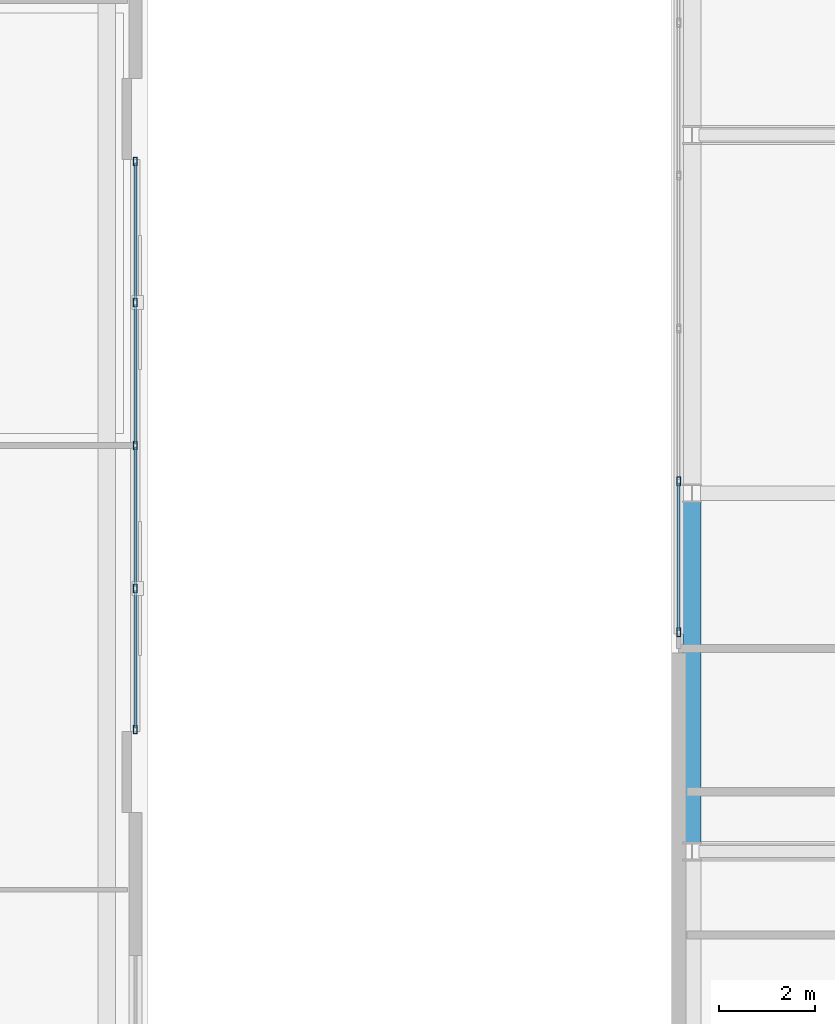
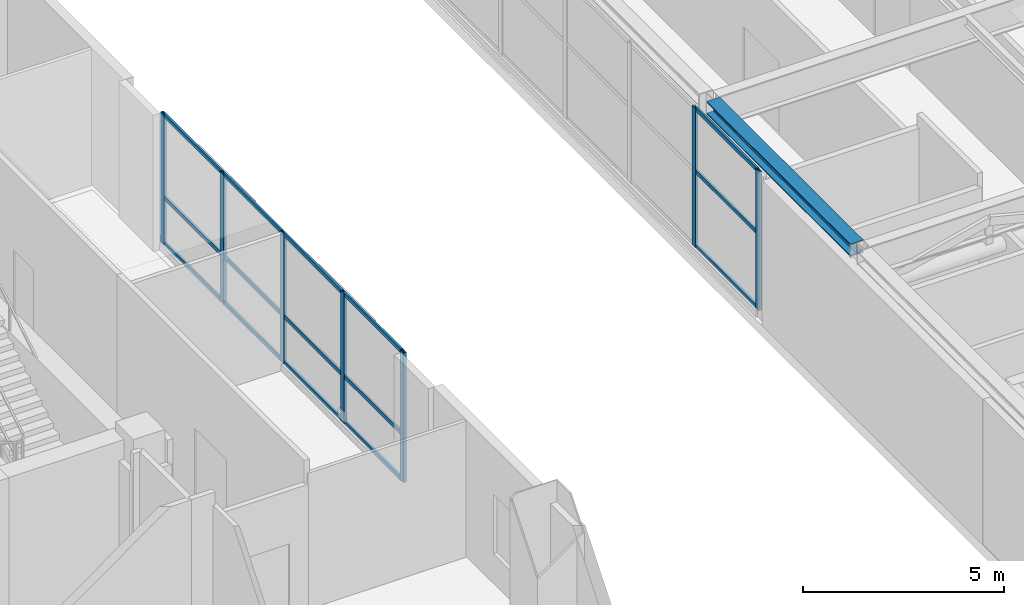
# One storey, part 7 of 27: 22 members, 1 beam, 2 elements without a shape of their own.
"""IFC4 building model written with IfcOpenShell, lengths in metres."""

from ifc_helpers import new_model, si_unit, direction, frame, origin, origin_2d, place, context, subcontext, project, spatial, hollow_rectangle, i_section, extrude, material, layer, layer_set, material_profile, profile_set, type_object, element, aggregate, save


model = new_model("IFC4")

# Units and contexts
model_context = context("Model", 3, precision=1e-05, world=origin(), true_north=direction((0.0, 1.0)))
body_context = subcontext(model_context, "Body", "Model", "MODEL_VIEW")
ifc_project = project(units=[si_unit("LENGTHUNIT", "METRE"), si_unit("AREAUNIT", "SQUARE_METRE"), si_unit("VOLUMEUNIT", "CUBIC_METRE"), si_unit("PLANEANGLEUNIT", "RADIAN"), si_unit("MASSUNIT", "GRAM", prefix="KILO")], contexts=[model_context])

# Site, building, storey
site_placement = place(None, origin())
site = spatial("IfcSite", under=ifc_project, at=site_placement, CompositionType="ELEMENT")
building_placement = place(site_placement, origin())
building = spatial("IfcBuilding", under=site, at=building_placement, Name="Mersakhor Tower and Convention Hall", CompositionType="ELEMENT")
storey_placement = place(building_placement, frame((0.0, 0.0, 14.39990234375)))
storey = spatial("IfcBuildingStorey", under=building, at=storey_placement, Name="L03", CompositionType="ELEMENT", Elevation=14.39990234375)

# Beam
ifc_material_1 = material(Name="Steel S355", Category="steel")
ifc_material_profile_1 = material_profile(ifc_material_1, i_section(OverallWidth=0.374755859375, OverallDepth=0.37451171875, WebThickness=0.0166015625, FlangeThickness=0.027099609375, at=origin_2d()), Name="UC 356x368x202")
ifc_profile_set_1 = profile_set([ifc_material_profile_1], Name="Steel S355")
beam_type = type_object("IfcBeamType", Name="BM-SPD-UC356", PredefinedType="SPANDREL", material=ifc_profile_set_1)
beam_placement = place(storey_placement, frame((55.5, 18.429931640625, 4.613037109375), z_axis=(0.0, 1.0, 0.0), x_axis=(-1.0, 0.0, 0.0)))
element("IfcBeam", 1, at=beam_placement, inside=storey, type_object=beam_type, Name="Convention L03 Edge Spandrel W3", PredefinedType="SPANDREL", context=body_context, shape_type="SweptSolid", body=[
    extrude(i_section(OverallWidth=0.374755859375, OverallDepth=0.37451171875, WebThickness=0.0166015625, FlangeThickness=0.027099609375, at=origin_2d()), origin(), (0.0, 0.0, 1.0), 7.14013671875),
])

# Curtain wall, members
ifc_material_2 = material(Name="Dark solar low-E aluminium curtain wall", Category="aluminium")
ifc_layer_1 = layer(ifc_material_2, 0.219970703125)
ifc_layer_set_1 = layer_set([ifc_layer_1], Name="Dark solar low-E aluminium curtain wall")
curtain_wall_type_1 = type_object("IfcCurtainWallType", Name="CW-SYS-07", PredefinedType="USERDEFINED", material=ifc_layer_set_1)
curtain_wall_1_placement = place(storey_placement, origin())
curtain_wall_1 = element("IfcCurtainWall", 2, at=curtain_wall_1_placement, inside=storey, type_object=curtain_wall_type_1, Name="Convention L03 West Curtain Wall", ObjectType="CURTAIN WALL", PredefinedType="USERDEFINED")
ifc_material_3 = material(Name="Anodised aluminium EN AW-6063 T6", Category="aluminium")
ifc_material_profile_2 = material_profile(ifc_material_3, hollow_rectangle(XDim=0.080078125, YDim=0.179931640625, WallThickness=0.008056640625, at=origin_2d()), Name="RHS 180x80x8")
ifc_profile_set_2 = profile_set([ifc_material_profile_2], Name="Anodised aluminium EN AW-6063 T6")
member_type_1 = type_object("IfcMemberType", Name="CWM-180x80", PredefinedType="MULLION", material=ifc_profile_set_2)
member_1_placement = place(storey_placement, frame((55.22509765625, 22.840087890625, 0.2001953125), z_axis=(0.0, 0.0, 1.0), x_axis=(-1.0, 0.0, 0.0)))
member_1 = element("IfcMember", 3, at=member_1_placement, type_object=member_type_1, Name="CW-07 mullion 1", PredefinedType="MULLION", context=body_context, shape_type="SweptSolid", body=[
    extrude(hollow_rectangle(XDim=0.080078125, YDim=0.179931640625, WallThickness=0.008056640625, at=origin_2d()), origin(), (0.0, 0.0, 1.0), 4.219970703125),
])
member_2_placement = place(storey_placement, frame((55.22509765625, 26.0, 0.2001953125), z_axis=(0.0, 0.0, 1.0), x_axis=(-1.0, 0.0, 0.0)))
member_2 = element("IfcMember", 4, at=member_2_placement, type_object=member_type_1, Name="CW-07 mullion 2", PredefinedType="MULLION", context=body_context, shape_type="SweptSolid", body=[
    extrude(hollow_rectangle(XDim=0.080078125, YDim=0.179931640625, WallThickness=0.008056640625, at=origin_2d()), origin(), (0.0, 0.0, 1.0), 4.219970703125),
])

ifc_material_4 = material(Name="Dark solar low-E aluminium curtain wall", Category="aluminium")
ifc_layer_2 = layer(ifc_material_4, 0.18994140625)
ifc_layer_set_2 = layer_set([ifc_layer_2], Name="Dark solar low-E aluminium curtain wall")
curtain_wall_type_2 = type_object("IfcCurtainWallType", Name="CW-SYS-04", PredefinedType="USERDEFINED", material=ifc_layer_set_2)
curtain_wall_2_placement = place(storey_placement, origin())
curtain_wall_2 = element("IfcCurtainWall", 5, at=curtain_wall_2_placement, inside=storey, type_object=curtain_wall_type_2, Name="L03 Dark-Glass Curtain Wall F2-B2", ObjectType="CURTAIN WALL", PredefinedType="USERDEFINED")
member_3_placement = place(storey_placement, frame((43.85009765625, 32.696533203125, 0.2001953125), z_axis=(0.0, 0.0, 1.0), x_axis=(1.0, 0.0, 0.0)))
member_3 = element("IfcMember", 6, at=member_3_placement, type_object=member_type_1, Name="CW-04 mullion 1", PredefinedType="MULLION", context=body_context, shape_type="SweptSolid", body=[
    extrude(hollow_rectangle(XDim=0.080078125, YDim=0.179931640625, WallThickness=0.008056640625, at=origin_2d()), origin(), (0.0, 0.0, 1.0), 3.93994140625),
])
member_4_placement = place(storey_placement, frame((43.85009765625, 29.743408203125, 0.2001953125), z_axis=(0.0, 0.0, 1.0), x_axis=(1.0, 0.0, 0.0)))
member_4 = element("IfcMember", 7, at=member_4_placement, type_object=member_type_1, Name="CW-04 mullion 2", PredefinedType="MULLION", context=body_context, shape_type="SweptSolid", body=[
    extrude(hollow_rectangle(XDim=0.080078125, YDim=0.179931640625, WallThickness=0.008056640625, at=origin_2d()), origin(), (0.0, 0.0, 1.0), 3.93994140625),
])
member_5_placement = place(storey_placement, frame((43.85009765625, 26.75, 0.2001953125), z_axis=(0.0, 0.0, 1.0), x_axis=(1.0, 0.0, 0.0)))
member_5 = element("IfcMember", 8, at=member_5_placement, type_object=member_type_1, Name="CW-04 mullion 3", PredefinedType="MULLION", context=body_context, shape_type="SweptSolid", body=[
    extrude(hollow_rectangle(XDim=0.080078125, YDim=0.179931640625, WallThickness=0.008056640625, at=origin_2d()), origin(), (0.0, 0.0, 1.0), 3.93994140625),
])
member_6_placement = place(storey_placement, frame((43.85009765625, 23.756591796875, 0.2001953125), z_axis=(0.0, 0.0, 1.0), x_axis=(1.0, 0.0, 0.0)))
member_6 = element("IfcMember", 9, at=member_6_placement, type_object=member_type_1, Name="CW-04 mullion 4", PredefinedType="MULLION", context=body_context, shape_type="SweptSolid", body=[
    extrude(hollow_rectangle(XDim=0.080078125, YDim=0.179931640625, WallThickness=0.008056640625, at=origin_2d()), origin(), (0.0, 0.0, 1.0), 3.93994140625),
])
member_7_placement = place(storey_placement, frame((43.85009765625, 20.803466796875, 0.2001953125), z_axis=(0.0, 0.0, 1.0), x_axis=(1.0, 0.0, 0.0)))
member_7 = element("IfcMember", 10, at=member_7_placement, type_object=member_type_1, Name="CW-04 mullion 5", PredefinedType="MULLION", context=body_context, shape_type="SweptSolid", body=[
    extrude(hollow_rectangle(XDim=0.080078125, YDim=0.179931640625, WallThickness=0.008056640625, at=origin_2d()), origin(), (0.0, 0.0, 1.0), 3.93994140625),
])

# Member
ifc_material_5 = material(Name="Anodised aluminium EN AW-6063 T6", Category="aluminium")
ifc_material_profile_3 = material_profile(ifc_material_5, hollow_rectangle(XDim=0.06005859375, YDim=0.1201171875, WallThickness=0.0048828125, at=origin_2d()), Name="RHS 120x60x5")
ifc_profile_set_3 = profile_set([ifc_material_profile_3], Name="Anodised aluminium EN AW-6063 T6")
member_type_2 = type_object("IfcMemberType", Name="CWT-120x60", PredefinedType="USERDEFINED", material=ifc_profile_set_3)
member_8_placement = place(storey_placement, frame((55.22509765625, 22.8798828125, 0.22998046875), z_axis=(0.0, 1.0, 0.0), x_axis=(-1.0, 0.0, 0.0)))
member_8 = element("IfcMember", 11, at=member_8_placement, type_object=member_type_2, Name="CW-07 transom 1.1", ObjectType="TRANSOM", PredefinedType="USERDEFINED", context=body_context, shape_type="SweptSolid", body=[
    extrude(hollow_rectangle(XDim=0.06005859375, YDim=0.1201171875, WallThickness=0.0048828125, at=origin_2d()), origin(), (0.0, 0.0, 1.0), 3.080078125),
])

member_9_placement = place(storey_placement, frame((55.22509765625, 22.8798828125, 2.5), z_axis=(0.0, 1.0, 0.0), x_axis=(-1.0, 0.0, 0.0)))
member_9 = element("IfcMember", 12, at=member_9_placement, type_object=member_type_2, Name="CW-07 transom 1.2", ObjectType="TRANSOM", PredefinedType="USERDEFINED", context=body_context, shape_type="SweptSolid", body=[
    extrude(hollow_rectangle(XDim=0.06005859375, YDim=0.1201171875, WallThickness=0.0048828125, at=origin_2d()), origin(), (0.0, 0.0, 1.0), 3.080078125),
])

member_10_placement = place(storey_placement, frame((55.22509765625, 22.8798828125, 4.39013671875), z_axis=(0.0, 1.0, 0.0), x_axis=(-1.0, 0.0, 0.0)))
member_10 = element("IfcMember", 13, at=member_10_placement, type_object=member_type_2, Name="CW-07 transom 1.3", ObjectType="TRANSOM", PredefinedType="USERDEFINED", context=body_context, shape_type="SweptSolid", body=[
    extrude(hollow_rectangle(XDim=0.06005859375, YDim=0.1201171875, WallThickness=0.0048828125, at=origin_2d()), origin(), (0.0, 0.0, 1.0), 3.080078125),
])

aggregate(curtain_wall_1, [member_1, member_2, member_8, member_9, member_10])

member_11_placement = place(storey_placement, frame((43.85009765625, 32.656494140625, 0.22998046875), z_axis=(0.0, -1.0, 0.0), x_axis=(1.0, 0.0, 0.0)))
member_11 = element("IfcMember", 14, at=member_11_placement, type_object=member_type_2, Name="CW-04 transom 1.1", ObjectType="TRANSOM", PredefinedType="USERDEFINED", context=body_context, shape_type="SweptSolid", body=[
    extrude(hollow_rectangle(XDim=0.06005859375, YDim=0.1201171875, WallThickness=0.0048828125, at=origin_2d()), origin(), (0.0, 0.0, 1.0), 2.873291015625),
])

member_12_placement = place(storey_placement, frame((43.85009765625, 32.656494140625, 1.6201171875), z_axis=(0.0, -1.0, 0.0), x_axis=(1.0, 0.0, 0.0)))
member_12 = element("IfcMember", 15, at=member_12_placement, type_object=member_type_2, Name="CW-04 transom 1.2", ObjectType="TRANSOM", PredefinedType="USERDEFINED", context=body_context, shape_type="SweptSolid", body=[
    extrude(hollow_rectangle(XDim=0.06005859375, YDim=0.1201171875, WallThickness=0.0048828125, at=origin_2d()), origin(), (0.0, 0.0, 1.0), 2.873291015625),
])

member_13_placement = place(storey_placement, frame((43.85009765625, 32.656494140625, 4.110107421875), z_axis=(0.0, -1.0, 0.0), x_axis=(1.0, 0.0, 0.0)))
member_13 = element("IfcMember", 16, at=member_13_placement, type_object=member_type_2, Name="CW-04 transom 1.3", ObjectType="TRANSOM", PredefinedType="USERDEFINED", context=body_context, shape_type="SweptSolid", body=[
    extrude(hollow_rectangle(XDim=0.06005859375, YDim=0.1201171875, WallThickness=0.0048828125, at=origin_2d()), origin(), (0.0, 0.0, 1.0), 2.873291015625),
])

member_14_placement = place(storey_placement, frame((43.85009765625, 29.703369140625, 0.22998046875), z_axis=(0.0, -1.0, 0.0), x_axis=(1.0, 0.0, 0.0)))
member_14 = element("IfcMember", 17, at=member_14_placement, type_object=member_type_2, Name="CW-04 transom 2.1", ObjectType="TRANSOM", PredefinedType="USERDEFINED", context=body_context, shape_type="SweptSolid", body=[
    extrude(hollow_rectangle(XDim=0.06005859375, YDim=0.1201171875, WallThickness=0.0048828125, at=origin_2d()), origin(), (0.0, 0.0, 1.0), 2.913330078125),
])

member_15_placement = place(storey_placement, frame((43.85009765625, 29.703369140625, 1.6201171875), z_axis=(0.0, -1.0, 0.0), x_axis=(1.0, 0.0, 0.0)))
member_15 = element("IfcMember", 18, at=member_15_placement, type_object=member_type_2, Name="CW-04 transom 2.2", ObjectType="TRANSOM", PredefinedType="USERDEFINED", context=body_context, shape_type="SweptSolid", body=[
    extrude(hollow_rectangle(XDim=0.06005859375, YDim=0.1201171875, WallThickness=0.0048828125, at=origin_2d()), origin(), (0.0, 0.0, 1.0), 2.913330078125),
])

member_16_placement = place(storey_placement, frame((43.85009765625, 29.703369140625, 4.110107421875), z_axis=(0.0, -1.0, 0.0), x_axis=(1.0, 0.0, 0.0)))
member_16 = element("IfcMember", 19, at=member_16_placement, type_object=member_type_2, Name="CW-04 transom 2.3", ObjectType="TRANSOM", PredefinedType="USERDEFINED", context=body_context, shape_type="SweptSolid", body=[
    extrude(hollow_rectangle(XDim=0.06005859375, YDim=0.1201171875, WallThickness=0.0048828125, at=origin_2d()), origin(), (0.0, 0.0, 1.0), 2.913330078125),
])

member_17_placement = place(storey_placement, frame((43.85009765625, 26.7099609375, 0.22998046875), z_axis=(0.0, -1.0, 0.0), x_axis=(1.0, 0.0, 0.0)))
member_17 = element("IfcMember", 20, at=member_17_placement, type_object=member_type_2, Name="CW-04 transom 3.1", ObjectType="TRANSOM", PredefinedType="USERDEFINED", context=body_context, shape_type="SweptSolid", body=[
    extrude(hollow_rectangle(XDim=0.06005859375, YDim=0.1201171875, WallThickness=0.0048828125, at=origin_2d()), origin(), (0.0, 0.0, 1.0), 2.913330078125),
])

member_18_placement = place(storey_placement, frame((43.85009765625, 26.7099609375, 1.6201171875), z_axis=(0.0, -1.0, 0.0), x_axis=(1.0, 0.0, 0.0)))
member_18 = element("IfcMember", 21, at=member_18_placement, type_object=member_type_2, Name="CW-04 transom 3.2", ObjectType="TRANSOM", PredefinedType="USERDEFINED", context=body_context, shape_type="SweptSolid", body=[
    extrude(hollow_rectangle(XDim=0.06005859375, YDim=0.1201171875, WallThickness=0.0048828125, at=origin_2d()), origin(), (0.0, 0.0, 1.0), 2.913330078125),
])

member_19_placement = place(storey_placement, frame((43.85009765625, 26.7099609375, 4.110107421875), z_axis=(0.0, -1.0, 0.0), x_axis=(1.0, 0.0, 0.0)))
member_19 = element("IfcMember", 22, at=member_19_placement, type_object=member_type_2, Name="CW-04 transom 3.3", ObjectType="TRANSOM", PredefinedType="USERDEFINED", context=body_context, shape_type="SweptSolid", body=[
    extrude(hollow_rectangle(XDim=0.06005859375, YDim=0.1201171875, WallThickness=0.0048828125, at=origin_2d()), origin(), (0.0, 0.0, 1.0), 2.913330078125),
])

member_20_placement = place(storey_placement, frame((43.85009765625, 23.716796875, 0.22998046875), z_axis=(0.0, -1.0, 0.0), x_axis=(1.0, 0.0, 0.0)))
member_20 = element("IfcMember", 23, at=member_20_placement, type_object=member_type_2, Name="CW-04 transom 4.1", ObjectType="TRANSOM", PredefinedType="USERDEFINED", context=body_context, shape_type="SweptSolid", body=[
    extrude(hollow_rectangle(XDim=0.06005859375, YDim=0.1201171875, WallThickness=0.0048828125, at=origin_2d()), origin(), (0.0, 0.0, 1.0), 2.873291015625),
])

member_21_placement = place(storey_placement, frame((43.85009765625, 23.716796875, 1.6201171875), z_axis=(0.0, -1.0, 0.0), x_axis=(1.0, 0.0, 0.0)))
member_21 = element("IfcMember", 24, at=member_21_placement, type_object=member_type_2, Name="CW-04 transom 4.2", ObjectType="TRANSOM", PredefinedType="USERDEFINED", context=body_context, shape_type="SweptSolid", body=[
    extrude(hollow_rectangle(XDim=0.06005859375, YDim=0.1201171875, WallThickness=0.0048828125, at=origin_2d()), origin(), (0.0, 0.0, 1.0), 2.873291015625),
])

member_22_placement = place(storey_placement, frame((43.85009765625, 23.716796875, 4.110107421875), z_axis=(0.0, -1.0, 0.0), x_axis=(1.0, 0.0, 0.0)))
member_22 = element("IfcMember", 25, at=member_22_placement, type_object=member_type_2, Name="CW-04 transom 4.3", ObjectType="TRANSOM", PredefinedType="USERDEFINED", context=body_context, shape_type="SweptSolid", body=[
    extrude(hollow_rectangle(XDim=0.06005859375, YDim=0.1201171875, WallThickness=0.0048828125, at=origin_2d()), origin(), (0.0, 0.0, 1.0), 2.873291015625),
])

aggregate(curtain_wall_2, [member_3, member_4, member_5, member_6, member_7, member_11, member_12, member_13, member_14, member_15, member_16, member_17, member_18, member_19, member_20, member_21, member_22])

save(model, "model.ifc")
